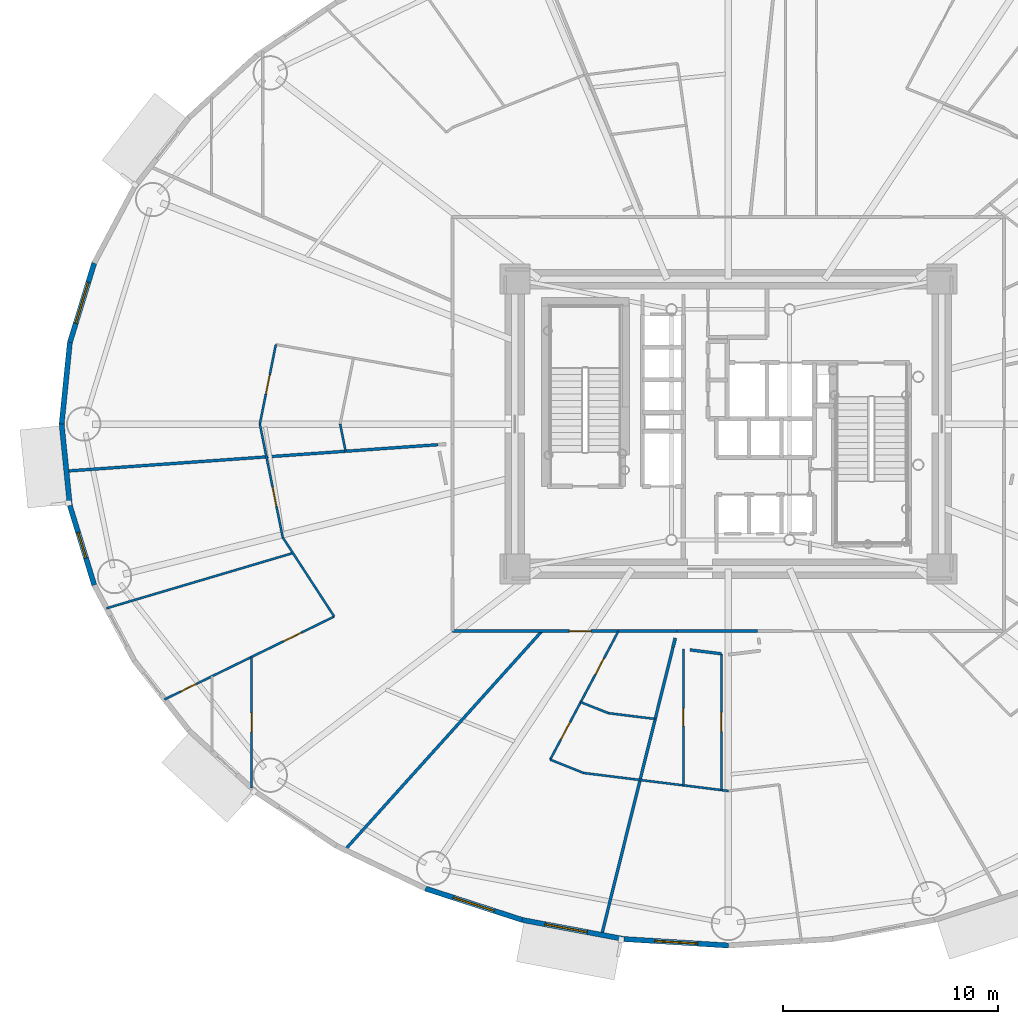
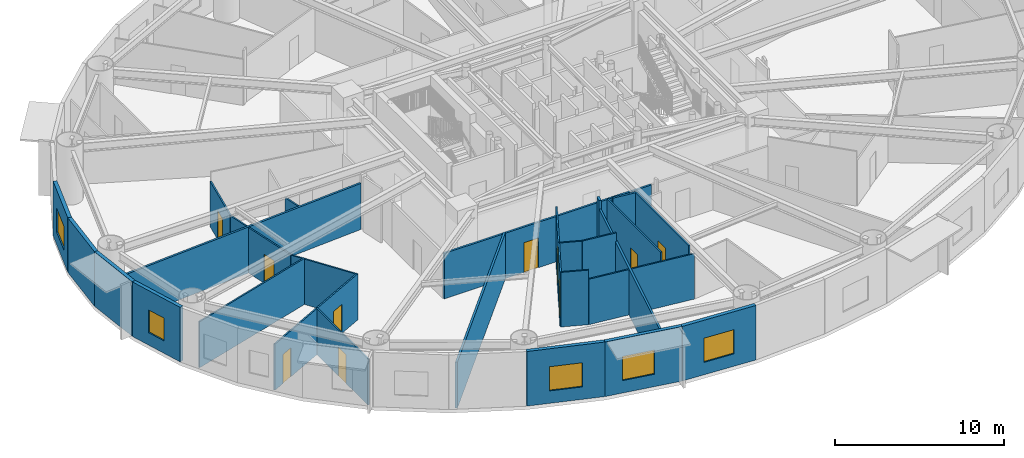
# One storey, part 7 of 20: 29 walls, 10 doors, 5 windows, 15 openings.
"""IFC4 building model written with IfcOpenShell, lengths in metres."""

import ifcopenshell
import ifcopenshell.guid

model = None  # the IFC model being written
_history = None  # IfcOwnerHistory: only IFC2X3 demands one
_inside = {}  # id of a spatial element -> (the spatial element, [elements in it])
_under = {}  # id of a project, library or spatial element -> (it, [spatial elements below it])
_declared = {}  # id of a project -> (the project, [libraries it declares])
_typed = {}  # id of a type object -> (the type object, [elements of that type])
_made_of = {}  # id of a material, layer set ... -> (it, [elements and type objects made of it])


def new_model(schema):
    """Start an empty IFC model of exactly this schema.

    Asked for "IFC4X3", IfcOpenShell would pick the latest addendum, in which some entities
    have other attributes; the version numbers below select the first issue.
    IFC2X3 requires an IfcOwnerHistory on every rooted entity: one is made here for all.
    """
    global model, _history
    if schema == "IFC4X3":
        model = ifcopenshell.file(schema_version=(4, 3, 0, 0))
    else:
        model = ifcopenshell.file(schema=schema)
    _inside.clear()
    _under.clear()
    _declared.clear()
    _typed.clear()
    _made_of.clear()
    _history = None
    if model.schema == "IFC2X3":
        org = make("IfcOrganization", Name="unknown")
        user = make(
            "IfcPersonAndOrganization",
            ThePerson=make("IfcPerson", FamilyName="unknown"),
            TheOrganization=org,
        )
        app = make(
            "IfcApplication",
            ApplicationDeveloper=org,
            Version="unknown",
            ApplicationFullName="unknown",
            ApplicationIdentifier="unknown",
        )
        _history = make(
            "IfcOwnerHistory",
            OwningUser=user,
            OwningApplication=app,
            ChangeAction="ADDED",
            CreationDate=0,
        )
    return model


def make(cls, **values):
    """One entity of the class cls with the attributes given. An attribute that is None is left unset."""
    return model.create_entity(
        cls, **{name: value for name, value in values.items() if value is not None}
    )


def rooted(cls, **values):
    """An entity with a GlobalId (a new one), such as an element, a storey or a relation."""
    return make(cls, GlobalId=ifcopenshell.guid.new(), OwnerHistory=_history, **values)


def si_unit(unit_type, name, prefix=None):
    """IfcSIUnit, for example si_unit("LENGTHUNIT", "METRE", prefix="MILLI")."""
    return make("IfcSIUnit", UnitType=unit_type, Prefix=prefix, Name=name)


def assignment(units):
    """IfcUnitAssignment: the units of a project."""
    return None if units is None else make("IfcUnitAssignment", Units=units)


def point(xyz):
    """IfcCartesianPoint."""
    return None if xyz is None else make("IfcCartesianPoint", Coordinates=xyz)


def direction(xyz):
    """IfcDirection."""
    return None if xyz is None else make("IfcDirection", DirectionRatios=xyz)


def frame(location, z_axis=None, x_axis=None):
    """IfcAxis2Placement3D, a coordinate frame: its origin and axes. An axis left out is left unset."""
    return make(
        "IfcAxis2Placement3D",
        Location=point(location),
        Axis=direction(z_axis),
        RefDirection=direction(x_axis),
    )


def frame_2d(location, x_axis=None):
    """IfcAxis2Placement2D, a coordinate frame in the plane: its origin and x axis."""
    return make(
        "IfcAxis2Placement2D", Location=point(location), RefDirection=direction(x_axis)
    )


def origin():
    """The frame at (0, 0, 0) with its axes left unset."""
    return frame((0.0, 0.0, 0.0))


def origin_2d():
    """The frame at (0, 0) in the plane with its x axis left unset."""
    return frame_2d((0.0, 0.0))


def place(relative_to, where):
    """IfcLocalPlacement: puts the frame where relative to a parent placement (None: the world)."""
    return make(
        "IfcLocalPlacement", PlacementRelTo=relative_to, RelativePlacement=where
    )


def context(
    kind, dimensions, precision=None, world=None, true_north=None, identifier=None
):
    """IfcGeometricRepresentationContext, for example the 3D "Model" context."""
    return make(
        "IfcGeometricRepresentationContext",
        ContextIdentifier=identifier,
        ContextType=kind,
        CoordinateSpaceDimension=dimensions,
        Precision=precision,
        WorldCoordinateSystem=world,
        TrueNorth=true_north,
    )


def subcontext(parent, identifier, kind, view, scale=None):
    """IfcGeometricRepresentationSubContext, for example "Body" below "Model"."""
    return make(
        "IfcGeometricRepresentationSubContext",
        ContextIdentifier=identifier,
        ContextType=kind,
        ParentContext=parent,
        TargetScale=scale,
        TargetView=view,
    )


def project(units=None, contexts=None):
    """IfcProject with its units and contexts."""
    return rooted(
        "IfcProject",
        Name="project",
        RepresentationContexts=contexts,
        UnitsInContext=assignment(units),
    )


def spatial(cls, under=None, at=None, **own):
    """A site, building, storey or space (cls), placed at a placement, below another one or the project."""
    s = rooted(cls, ObjectPlacement=at, **own)
    if under is not None:
        _under.setdefault(under.id(), (under, []))[1].append(s)
    return s


def profile(cls, at=None, kind="AREA", **sizes):
    """A parametric profile (cls). Its sizes go by their IFC names, for example OverallWidth=200.0."""
    return make(cls, ProfileType=kind, Position=at, **sizes)


def rectangle(**sizes):
    """IfcRectangleProfileDef."""
    return profile("IfcRectangleProfileDef", **sizes)


def extrude(swept, where, along, depth):
    """IfcExtrudedAreaSolid: the profile swept, set in the frame where, extruded along a direction by depth."""
    return make(
        "IfcExtrudedAreaSolid",
        SweptArea=swept,
        Position=where,
        ExtrudedDirection=direction(along),
        Depth=depth,
    )


def shape(context_of_items, identifier, shape_type, items):
    """IfcShapeRepresentation: the items that make up one representation, for example the "Body"."""
    return make(
        "IfcShapeRepresentation",
        ContextOfItems=context_of_items,
        RepresentationIdentifier=identifier,
        RepresentationType=shape_type,
        Items=items,
    )


def source(mapping_origin, context_of_items, identifier, shape_type, items):
    """IfcRepresentationMap: a shape defined once, which mapped items show again and again."""
    return make(
        "IfcRepresentationMap",
        MappingOrigin=mapping_origin,
        MappedRepresentation=shape(context_of_items, identifier, shape_type, items),
    )


def transform(
    local_origin,
    x_axis=None,
    y_axis=None,
    z_axis=None,
    scale=None,
    scale2=None,
    scale3=None,
    uniform=True,
):
    """IfcCartesianTransformationOperator3D, or its non-uniform kind. x_axis, y_axis, z_axis: its Axis1, 2, 3."""
    if uniform:
        return make(
            "IfcCartesianTransformationOperator3D",
            Axis1=direction(x_axis),
            Axis2=direction(y_axis),
            LocalOrigin=point(local_origin),
            Scale=scale,
            Axis3=direction(z_axis),
        )
    return make(
        "IfcCartesianTransformationOperator3DnonUniform",
        Axis1=direction(x_axis),
        Axis2=direction(y_axis),
        LocalOrigin=point(local_origin),
        Scale=scale,
        Axis3=direction(z_axis),
        Scale2=scale2,
        Scale3=scale3,
    )


def mapped(mapping_source, mapping_target):
    """IfcMappedItem: shows the shape of a source again, moved by a transform."""
    return make(
        "IfcMappedItem", MappingSource=mapping_source, MappingTarget=mapping_target
    )


def material(Name=None, Category=None):
    """IfcMaterial."""
    return make("IfcMaterial", Name=Name, Category=Category)


def layer(
    of_material, thickness, ventilated=None, Name=None, Category=None, Priority=None
):
    """IfcMaterialLayer: one layer of a wall or slab, of a material (None: an air gap)."""
    return make(
        "IfcMaterialLayer",
        Material=of_material,
        LayerThickness=thickness,
        IsVentilated=ventilated,
        Name=Name,
        Category=Category,
        Priority=Priority,
    )


def layer_set(layers, Name=None):
    """IfcMaterialLayerSet."""
    return make("IfcMaterialLayerSet", MaterialLayers=layers, LayerSetName=Name)


def made_of(thing, what):
    """Note that an element or type object is made of a material, layer set ...; save() writes the relation."""
    if what is not None:
        _made_of.setdefault(what.id(), (what, []))[1].append(thing)
    return thing


def type_object(cls, material=None, **own):
    """A type object (cls), such as IfcWallType, which elements share."""
    return made_of(rooted(cls, **own), material)


def element(
    cls,
    number,
    at=None,
    inside=None,
    cuts=None,
    type_object=None,
    material=None,
    context=None,
    identifier="Body",
    shape_type=None,
    held_by="IfcProductDefinitionShape",
    body=None,
    shapes=None,
    **own,
):
    """One element of the class cls, such as IfcWall. Its Tag is "e" and its number.

    at: its placement. inside: the storey or other place that contains it. cuts: it is an
    opening in that element (IfcRelVoidsElement). A single representation is given by context,
    identifier, shape_type and body (its items); several are given by shapes. held_by: the class
    of the entity that holds the representations. save() writes the other relations.
    """
    e = rooted(cls, Tag="e%d" % number, ObjectPlacement=at, **own)
    if body is not None:
        shapes = [shape(context, identifier, shape_type, body)]
    if shapes is not None:
        e.Representation = make(held_by, Representations=shapes)
    if inside is not None:
        _inside.setdefault(inside.id(), (inside, []))[1].append(e)
    if cuts is not None:
        rooted(
            "IfcRelVoidsElement", RelatingBuildingElement=cuts, RelatedOpeningElement=e
        )
    if type_object is not None:
        _typed.setdefault(type_object.id(), (type_object, []))[1].append(e)
    return made_of(e, material)


def fill(opening, filler):
    """IfcRelFillsElement: the door or window that sits in an opening."""
    return rooted(
        "IfcRelFillsElement",
        RelatingOpeningElement=opening,
        RelatedBuildingElement=filler,
    )


def aggregate(whole, parts):
    """IfcRelAggregates: a whole, such as a stair, and the parts it consists of."""
    return rooted("IfcRelAggregates", RelatingObject=whole, RelatedObjects=parts)


def save(model, path):
    """Write the relations noted so far, then the file.

    IfcRelAggregates (storeys below a building ...), IfcRelContainedInSpatialStructure (elements
    in a storey), IfcRelDefinesByType, IfcRelAssociatesMaterial and IfcRelDeclares: one each for
    every whole, place, type object, material and project.
    """
    for whole, parts in _under.values():
        aggregate(whole, parts)
    for where, things in _inside.values():
        rooted(
            "IfcRelContainedInSpatialStructure",
            RelatedElements=things,
            RelatingStructure=where,
        )
    for kind, things in _typed.values():
        rooted("IfcRelDefinesByType", RelatedObjects=things, RelatingType=kind)
    for what, things in _made_of.values():
        rooted("IfcRelAssociatesMaterial", RelatedObjects=things, RelatingMaterial=what)
    for by, libraries in _declared.values():
        rooted("IfcRelDeclares", RelatingContext=by, RelatedDefinitions=libraries)
    model.write(path)


model = new_model("IFC4")

# Units and contexts
model_context = context("Model", 3, precision=1e-05, world=origin(), true_north=direction((0.0, 1.0)))
body_context = subcontext(model_context, "Body", "Model", "MODEL_VIEW")
ifc_project = project(units=[si_unit("LENGTHUNIT", "METRE"), si_unit("AREAUNIT", "SQUARE_METRE"), si_unit("VOLUMEUNIT", "CUBIC_METRE"), si_unit("PLANEANGLEUNIT", "RADIAN"), si_unit("MASSUNIT", "GRAM", prefix="KILO")], contexts=[model_context])

# Site, building, storey
site_placement = place(None, origin())
site = spatial("IfcSite", under=ifc_project, at=site_placement, CompositionType="ELEMENT")
building_placement = place(site_placement, origin())
building = spatial("IfcBuilding", under=site, at=building_placement, Name="Linh Dai School and Residence Tower", CompositionType="ELEMENT")
storey_placement = place(building_placement, frame((0.0, 0.0, 66.0)))
storey = spatial("IfcBuildingStorey", under=building, at=storey_placement, Name="L15", CompositionType="ELEMENT", Elevation=66.0)

# Wall, opening, window
ifc_material_1 = material(Name="Precast Concrete B45 (C35/45)", Category="concrete")
ifc_layer_1 = layer(ifc_material_1, 0.239990234375)
ifc_layer_set_1 = layer_set([ifc_layer_1], Name="Precast Concrete B45 (C35/45)")
wall_type_1 = type_object("IfcWallType", Name="EW-TC-240", PredefinedType="SOLIDWALL", material=ifc_layer_set_1)
wall_1_placement = place(storey_placement, frame((5.306640625, 30.796875, 0.0), z_axis=(0.0, 0.0, 1.0), x_axis=(0.293111631758, 0.956078224482, 0.0)))
wall_1 = element("IfcWall", 1, at=wall_1_placement, inside=storey, type_object=wall_type_1, Name="L15 Terracotta Exterior Wall 19", PredefinedType="SOLIDWALL", context=body_context, shape_type="SweptSolid", body=[
    extrude(rectangle(XDim=3.874755859375, YDim=0.239990234375, at=frame_2d((1.9375, 0.0))), origin(), (0.0, 0.0, 1.0), 3.949951171875),
])
opening_1_placement = place(wall_1_placement, frame((0.9375, 0.0, 0.89990234375)))
opening_1 = element("IfcOpeningElement", 2, at=opening_1_placement, cuts=wall_1, Name="Opening W1", PredefinedType="OPENING", context=body_context, shape_type="SweptSolid", body=[
    extrude(rectangle(XDim=2.0, YDim=1.75, at=origin_2d()), frame((1.0, 0.1298828125, 0.875), z_axis=(0.0, -1.0, 0.0), x_axis=(1.0, 0.0, 0.0)), (0.0, 0.0, 1.0), 0.260009765625),
])
ifc_material_2 = material(Name="Double Low-E Insulated Glazing", Category="glass")
window_type_1 = type_object("IfcWindowType", Name="WN-RES-2000x1750", PartitioningType="DOUBLE_PANEL_VERTICAL", PredefinedType="WINDOW", material=ifc_material_2)
shared_shape_1 = source(origin(), body_context, "Body", "SweptSolid", [
    extrude(rectangle(XDim=2.0, YDim=1.75, at=origin_2d()), frame((1.0, 0.030029296875, 0.875), z_axis=(0.0, -1.0, 0.0), x_axis=(1.0, 0.0, 0.0)), (0.0, 0.0, 1.0), 0.06005859375),
])
window_1_placement = place(opening_1_placement, origin())
window_1 = element("IfcWindow", 3, at=window_1_placement, inside=storey, type_object=window_type_1, Name="L15 Exterior Window 19.1", OverallHeight=1.75, OverallWidth=2.0, PartitioningType="DOUBLE_PANEL_VERTICAL", PredefinedType="WINDOW", context=body_context, shape_type="MappedRepresentation", body=[
    mapped(shared_shape_1, transform((0.0, 0.0, 0.0), x_axis=(1.0, 0.0, 0.0), y_axis=(0.0, 1.0, 0.0), z_axis=(0.0, 0.0, 1.0), scale=1.0)),
])
fill(opening_1, window_1)

# Walls
for number, where, z_axis, x_axis, name in (
    (4, (4.925048828125, 27.0, 0.0), (0.0, 0.0, 1.0), (0.099997795174, 0.994987658698, 0.0), "L15 Terracotta Exterior Wall 20"),
    (5, (5.306640625, 23.203125, 0.0), (0.0, 0.0, 1.0), (-0.099997795174, 0.994987658698, 0.0), "L15 Terracotta Exterior Wall 21"),
):
    element("IfcWall", number, at=place(storey_placement, frame(where, z_axis=z_axis, x_axis=x_axis)), inside=storey, type_object=wall_type_1, Name=name, PredefinedType="SOLIDWALL", context=body_context, shape_type="SweptSolid", body=[
        extrude(rectangle(XDim=3.81591796875, YDim=0.239990234375, at=frame_2d((1.907958984375, 0.0))), origin(), (0.0, 0.0, 1.0), 3.949951171875),
    ])

# Wall, opening, window
wall_2_placement = place(storey_placement, frame((6.4423828125, 19.49853515625, 0.0), z_axis=(0.0, 0.0, 1.0), x_axis=(-0.293111631758, 0.956078224482, 0.0)))
wall_2 = element("IfcWall", 6, at=wall_2_placement, inside=storey, type_object=wall_type_1, Name="L15 Terracotta Exterior Wall 22", PredefinedType="SOLIDWALL", context=body_context, shape_type="SweptSolid", body=[
    extrude(rectangle(XDim=3.874755859375, YDim=0.239990234375, at=frame_2d((1.9375, 0.0))), origin(), (0.0, 0.0, 1.0), 3.949951171875),
])
opening_2_placement = place(wall_2_placement, frame((1.312255859375, 0.0, 0.89990234375)))
opening_2 = element("IfcOpeningElement", 7, at=opening_2_placement, cuts=wall_2, Name="Opening W3", PredefinedType="OPENING", context=body_context, shape_type="SweptSolid", body=[
    extrude(rectangle(XDim=1.25, YDim=1.64990234375, at=origin_2d()), frame((0.625, 0.1298828125, 0.824951171875), z_axis=(0.0, -1.0, 0.0), x_axis=(1.0, 0.0, 0.0)), (0.0, 0.0, 1.0), 0.260009765625),
])
window_type_2 = type_object("IfcWindowType", Name="WN-RES-1250x1650", PartitioningType="SINGLE_PANEL", PredefinedType="WINDOW", material=ifc_material_2)
shared_shape_2 = source(origin(), body_context, "Body", "SweptSolid", [
    extrude(rectangle(XDim=1.25, YDim=1.64990234375, at=origin_2d()), frame((0.625, 0.030029296875, 0.824951171875), z_axis=(0.0, -1.0, 0.0), x_axis=(1.0, 0.0, 0.0)), (0.0, 0.0, 1.0), 0.06005859375),
])
window_2_placement = place(opening_2_placement, origin())
window_2 = element("IfcWindow", 8, at=window_2_placement, inside=storey, type_object=window_type_2, Name="L15 Dwelling Window U1506-BD1", OverallHeight=1.64990234375, OverallWidth=1.25, PartitioningType="SINGLE_PANEL", PredefinedType="WINDOW", context=body_context, shape_type="MappedRepresentation", body=[
    mapped(shared_shape_2, transform((0.0, 0.0, 0.0), x_axis=(1.0, 0.0, 0.0), y_axis=(0.0, 1.0, 0.0), z_axis=(0.0, 0.0, 1.0), scale=1.0)),
])
fill(opening_2, window_2)

wall_3_placement = place(storey_placement, frame((26.389404296875, 3.88671875, 0.0), z_axis=(0.0, 0.0, 1.0), x_axis=(-0.951207699013, 0.308551313946, 0.0)))
wall_3 = element("IfcWall", 9, at=wall_3_placement, inside=storey, type_object=wall_type_1, Name="L15 Terracotta Exterior Wall 28", PredefinedType="SOLIDWALL", context=body_context, shape_type="SweptSolid", body=[
    extrude(rectangle(XDim=4.73876953125, YDim=0.239990234375, at=frame_2d((2.369384765625, 0.0))), origin(), (0.0, 0.0, 1.0), 3.949951171875),
])
opening_3_placement = place(wall_3_placement, frame((1.369384765625, 0.0, 0.89990234375)))
opening_3 = element("IfcOpeningElement", 10, at=opening_3_placement, cuts=wall_3, Name="Opening W1", PredefinedType="OPENING", context=body_context, shape_type="SweptSolid", body=[
    extrude(rectangle(XDim=2.0, YDim=1.75, at=origin_2d()), frame((1.0, 0.1298828125, 0.875), z_axis=(0.0, -1.0, 0.0), x_axis=(1.0, 0.0, 0.0)), (0.0, 0.0, 1.0), 0.260009765625),
])
window_3_placement = place(opening_3_placement, origin())
window_3 = element("IfcWindow", 11, at=window_3_placement, inside=storey, type_object=window_type_1, Name="L15 Exterior Window 28.1", OverallHeight=1.75, OverallWidth=2.0, PartitioningType="DOUBLE_PANEL_VERTICAL", PredefinedType="WINDOW", context=body_context, shape_type="MappedRepresentation", body=[
    mapped(shared_shape_1, transform((0.0, 0.0, 0.0), x_axis=(1.0, 0.0, 0.0), y_axis=(0.0, 1.0, 0.0), z_axis=(0.0, 0.0, 1.0), scale=1.0)),
])
fill(opening_3, window_3)

wall_4_placement = place(storey_placement, frame((31.134521484375, 2.994873046875, 0.0), z_axis=(0.0, 0.0, 1.0), x_axis=(-0.982791952378, 0.184715939598, 0.0)))
wall_4 = element("IfcWall", 12, at=wall_4_placement, inside=storey, type_object=wall_type_1, Name="L15 Terracotta Exterior Wall 29", PredefinedType="SOLIDWALL", context=body_context, shape_type="SweptSolid", body=[
    extrude(rectangle(XDim=4.828125, YDim=0.239990234375, at=frame_2d((2.4140625, 0.0))), origin(), (0.0, 0.0, 1.0), 3.949951171875),
])
opening_4_placement = place(wall_4_placement, frame((1.746337890625, 0.0, 0.89990234375)))
opening_4 = element("IfcOpeningElement", 13, at=opening_4_placement, cuts=wall_4, Name="Opening W1", PredefinedType="OPENING", context=body_context, shape_type="SweptSolid", body=[
    extrude(rectangle(XDim=2.0, YDim=1.75, at=origin_2d()), frame((1.0, 0.1298828125, 0.875), z_axis=(0.0, -1.0, 0.0), x_axis=(1.0, 0.0, 0.0)), (0.0, 0.0, 1.0), 0.260009765625),
])
window_4_placement = place(opening_4_placement, origin())
window_4 = element("IfcWindow", 14, at=window_4_placement, inside=storey, type_object=window_type_1, Name="L15 Exterior Window 29.1", OverallHeight=1.75, OverallWidth=2.0, PartitioningType="DOUBLE_PANEL_VERTICAL", PredefinedType="WINDOW", context=body_context, shape_type="MappedRepresentation", body=[
    mapped(shared_shape_1, transform((0.0, 0.0, 0.0), x_axis=(1.0, 0.0, 0.0), y_axis=(0.0, 1.0, 0.0), z_axis=(0.0, 0.0, 1.0), scale=1.0)),
])
fill(opening_4, window_4)

wall_5_placement = place(storey_placement, frame((36.0, 2.695068359375, 0.0), z_axis=(0.0, 0.0, 1.0), x_axis=(-0.998106954071, 0.061502099433, 0.0)))
wall_5 = element("IfcWall", 15, at=wall_5_placement, inside=storey, type_object=wall_type_1, Name="L15 Terracotta Exterior Wall 30", PredefinedType="SOLIDWALL", context=body_context, shape_type="SweptSolid", body=[
    extrude(rectangle(XDim=4.874755859375, YDim=0.239990234375, at=frame_2d((2.4375, 0.0))), origin(), (0.0, 0.0, 1.0), 3.949951171875),
])
opening_5_placement = place(wall_5_placement, frame((1.437255859375, 0.0, 0.89990234375)))
opening_5 = element("IfcOpeningElement", 16, at=opening_5_placement, cuts=wall_5, Name="Opening W1", PredefinedType="OPENING", context=body_context, shape_type="SweptSolid", body=[
    extrude(rectangle(XDim=2.0, YDim=1.75, at=origin_2d()), frame((1.0, 0.1298828125, 0.875), z_axis=(0.0, -1.0, 0.0), x_axis=(1.0, 0.0, 0.0)), (0.0, 0.0, 1.0), 0.260009765625),
])
window_5_placement = place(opening_5_placement, origin())
window_5 = element("IfcWindow", 17, at=window_5_placement, inside=storey, type_object=window_type_1, Name="L15 Exterior Window 30.1", OverallHeight=1.75, OverallWidth=2.0, PartitioningType="DOUBLE_PANEL_VERTICAL", PredefinedType="WINDOW", context=body_context, shape_type="MappedRepresentation", body=[
    mapped(shared_shape_1, transform((0.0, 0.0, 0.0), x_axis=(1.0, 0.0, 0.0), y_axis=(0.0, 1.0, 0.0), z_axis=(0.0, 0.0, 1.0), scale=1.0)),
])
fill(opening_5, window_5)

# Walls
ifc_material_3 = material(Name="Autoclaved Aerated Concrete Blockwork", Category="masonry")
ifc_layer_2 = layer(ifc_material_3, 0.135009765625)
ifc_layer_set_2 = layer_set([ifc_layer_2], Name="Autoclaved Aerated Concrete Blockwork")
wall_type_2 = type_object("IfcWallType", Name="IW-CORR-135-EI90", PredefinedType="PARTITIONING", material=ifc_layer_set_2)
wall_6_placement = place(storey_placement, frame((5.140625, 24.805419921875, 0.0), z_axis=(0.0, 0.0, 1.0), x_axis=(0.99748069861, 0.070938395112, 0.0)))
element("IfcWall", 18, at=wall_6_placement, inside=storey, type_object=wall_type_2, Name="L15 Interior Partition Wall 001", PredefinedType="PARTITIONING", context=body_context, shape_type="SweptSolid", body=[
    extrude(rectangle(XDim=17.36962890625, YDim=0.135009765625, at=frame_2d((8.684814453125, 0.0))), origin(), (0.0, 0.0, 1.0), 3.3349609375),
])
wall_7_placement = place(storey_placement, frame((18.123779296875, 7.146484375, 0.0), z_axis=(0.0, 0.0, 1.0), x_axis=(0.669125827692, 0.743149128181, 0.0)))
element("IfcWall", 19, at=wall_7_placement, inside=storey, type_object=wall_type_2, Name="L15 Interior Partition Wall 016", PredefinedType="PARTITIONING", context=body_context, shape_type="SweptSolid", body=[
    extrude(rectangle(XDim=13.730224609375, YDim=0.135009765625, at=frame_2d((6.865234375, 0.0))), origin(), (0.0, 0.0, 1.0), 3.3349609375),
])

# Wall, opening, door
wall_8_placement = place(storey_placement, frame((23.14990234375, 17.35009765625, 0.0), z_axis=(0.0, 0.0, 1.0), x_axis=(1.0, 0.0, 0.0)))
wall_8 = element("IfcWall", 20, at=wall_8_placement, inside=storey, type_object=wall_type_2, Name="L15 Interior Partition Wall 020", PredefinedType="PARTITIONING", context=body_context, shape_type="SweptSolid", body=[
    extrude(rectangle(XDim=10.456298828125, YDim=0.135009765625, at=frame_2d((5.22802734375, 0.0))), origin(), (0.0, 0.0, 1.0), 3.284912109375),
])
opening_6_placement = place(wall_8_placement, frame((5.443603515625, 0.0, 0.0)))
opening_6 = element("IfcOpeningElement", 21, at=opening_6_placement, cuts=wall_8, Name="Opening D03", PredefinedType="OPENING", context=body_context, shape_type="SweptSolid", body=[
    extrude(rectangle(XDim=1.0, YDim=2.14990234375, at=origin_2d()), frame((0.5, 0.07763671875, 1.074951171875), z_axis=(0.0, -1.0, 0.0), x_axis=(1.0, 0.0, 0.0)), (0.0, 0.0, 1.0), 0.155029296875),
])
ifc_material_4 = material(Name="Fire-Rated Solid Timber Entrance Door", Category="wood")
door_type_1 = type_object("IfcDoorType", Name="DR-FLAT-1000x2150-FD60S", OperationType="NOTDEFINED", PredefinedType="DOOR", material=ifc_material_4)
shared_shape_3 = source(origin(), body_context, "Body", "SweptSolid", [
    extrude(rectangle(XDim=1.0, YDim=2.14990234375, at=origin_2d()), frame((0.5, 0.02490234375, 1.074951171875), z_axis=(0.0, -1.0, 0.0), x_axis=(1.0, 0.0, 0.0)), (0.0, 0.0, 1.0), 0.050048828125),
])
door_1_placement = place(opening_6_placement, origin())
door_1 = element("IfcDoor", 22, at=door_1_placement, inside=storey, type_object=door_type_1, Name="L15 U1507 Apartment Entrance Door", OperationType="SINGLE_SWING_LEFT", OverallHeight=2.14990234375, OverallWidth=1.0, PredefinedType="DOOR", context=body_context, shape_type="MappedRepresentation", body=[
    mapped(shared_shape_3, transform((0.0, 0.0, 0.0), x_axis=(1.0, 0.0, 0.0), y_axis=(0.0, 1.0, 0.0), z_axis=(0.0, 0.0, 1.0), scale=1.0)),
])
fill(opening_6, door_1)

# Walls
wall_9_placement = place(storey_placement, frame((30.09228515625, 3.185791015625, 0.0), z_axis=(0.0, 0.0, 1.0), x_axis=(0.240785833135, 0.970578272249, 0.0)))
element("IfcWall", 23, at=wall_9_placement, inside=storey, type_object=wall_type_2, Name="L15 Interior Partition Wall 032", PredefinedType="PARTITIONING", context=body_context, shape_type="SweptSolid", body=[
    extrude(rectangle(XDim=13.79150390625, YDim=0.135009765625, at=frame_2d((6.895751953125, 0.0))), origin(), (0.0, 0.0, 1.0), 3.3349609375),
])
wall_10_placement = place(storey_placement, frame((37.35205078125, 17.35009765625, 0.0), z_axis=(0.0, 0.0, 1.0), x_axis=(-1.0, 0.0, 0.0)))
element("IfcWall", 24, at=wall_10_placement, inside=storey, type_object=wall_type_2, Name="L15 Interior Partition Wall 119", PredefinedType="PARTITIONING", context=body_context, shape_type="SweptSolid", body=[
    extrude(rectangle(XDim=3.73583984375, YDim=0.135009765625, at=frame_2d((1.867919921875, 0.0))), origin(), (0.0, 0.0, 1.0), 3.284912109375),
])
wall_11_placement = place(storey_placement, frame((34.211181640625, 16.47265625, 0.0), z_axis=(0.0, 0.0, 1.0), x_axis=(0.992399537087, -0.123057542599, 0.0)))
element("IfcWall", 25, at=wall_11_placement, inside=storey, type_object=wall_type_2, Name="L15 Interior Partition Wall 136", PredefinedType="PARTITIONING", context=body_context, shape_type="SweptSolid", body=[
    extrude(rectangle(XDim=1.47607421875, YDim=0.135009765625, at=frame_2d((0.738037109375, 0.0))), origin(), (0.0, 0.0, 1.0), 3.949951171875),
])
ifc_layer_3 = layer(ifc_material_3, 0.14990234375)
ifc_layer_set_3 = layer_set([ifc_layer_3], Name="Autoclaved Aerated Concrete Blockwork")
wall_type_3 = type_object("IfcWallType", Name="IW-SCH-150-EI60", PredefinedType="PARTITIONING", material=ifc_layer_set_3)
wall_12_placement = place(storey_placement, frame((33.52490234375, 17.0224609375, 0.0), z_axis=(0.0, 0.0, 1.0), x_axis=(-0.24063936861, -0.970614596158, 0.0)))
element("IfcWall", 26, at=wall_12_placement, inside=storey, type_object=wall_type_3, Name="L15 Interior Partition Wall 133", PredefinedType="PARTITIONING", context=body_context, shape_type="SweptSolid", body=[
    extrude(rectangle(XDim=0.45458984375, YDim=0.14990234375, at=frame_2d((0.227294921875, 0.0))), origin(), (0.0, 0.0, 1.0), 3.949951171875),
])
ifc_material_5 = material(Name="Gypsum Plasterboard Acoustic Stud Partition", Category="masonry")
ifc_layer_4 = layer(ifc_material_5, 0.10009765625)
ifc_layer_set_4 = layer_set([ifc_layer_4], Name="Gypsum Plasterboard Acoustic Stud Partition")
wall_type_4 = type_object("IfcWallType", Name="IW-UNIT-100", PredefinedType="PARTITIONING", material=ifc_layer_set_4)
wall_13_placement = place(storey_placement, frame((7.012451171875, 18.410888671875, 0.0), z_axis=(0.0, 0.0, 1.0), x_axis=(0.958797025861, 0.284091997775, 0.0)))
element("IfcWall", 27, at=wall_13_placement, inside=storey, type_object=wall_type_4, Name="L15 Interior Partition Wall 002", PredefinedType="PARTITIONING", context=body_context, shape_type="SweptSolid", body=[
    extrude(rectangle(XDim=9.064697265625, YDim=0.10009765625, at=frame_2d((4.5322265625, 0.0))), origin(), (0.0, 0.0, 1.0), 3.3349609375),
])

# Wall, openings, doors
wall_14_placement = place(storey_placement, frame((9.71923828125, 14.16259765625, 0.0), z_axis=(0.0, 0.0, 1.0), x_axis=(0.898526567573, 0.438919135339, 0.0)))
wall_14 = element("IfcWall", 28, at=wall_14_placement, inside=storey, type_object=wall_type_4, Name="L15 Interior Partition Wall 004", PredefinedType="PARTITIONING", context=body_context, shape_type="SweptSolid", body=[
    extrude(rectangle(XDim=8.803466796875, YDim=0.10009765625, at=frame_2d((4.40185546875, 0.0))), origin(), (0.0, 0.0, 1.0), 3.3349609375),
])
opening_7_placement = place(wall_14_placement, frame((6.19140625, 0.0, 0.0)))
opening_7 = element("IfcOpeningElement", 29, at=opening_7_placement, cuts=wall_14, Name="Opening D05", PredefinedType="OPENING", context=body_context, shape_type="SweptSolid", body=[
    extrude(rectangle(XDim=0.89990234375, YDim=2.10009765625, at=origin_2d()), frame((0.449951171875, 0.06005859375, 1.050048828125), z_axis=(0.0, -1.0, 0.0), x_axis=(1.0, 0.0, 0.0)), (0.0, 0.0, 1.0), 0.1201171875),
])
opening_8_placement = place(wall_14_placement, frame((0.843017578125, 0.0, 0.0)))
opening_8 = element("IfcOpeningElement", 30, at=opening_8_placement, cuts=wall_14, Name="Opening D06", PredefinedType="OPENING", context=body_context, shape_type="SweptSolid", body=[
    extrude(rectangle(XDim=0.820068359375, YDim=2.10009765625, at=origin_2d()), frame((0.41015625, 0.06005859375, 1.050048828125), z_axis=(0.0, -1.0, 0.0), x_axis=(1.0, 0.0, 0.0)), (0.0, 0.0, 1.0), 0.1201171875),
])
ifc_material_6 = material(Name="Moisture-Resistant Timber Bathroom Door", Category="wood")
door_type_2 = type_object("IfcDoorType", Name="DR-WET-820x2100", OperationType="NOTDEFINED", PredefinedType="DOOR", material=ifc_material_6)
shared_shape_4 = source(origin(), body_context, "Body", "SweptSolid", [
    extrude(rectangle(XDim=0.820068359375, YDim=2.10009765625, at=origin_2d()), frame((0.41015625, 0.02490234375, 1.050048828125), z_axis=(0.0, -1.0, 0.0), x_axis=(1.0, 0.0, 0.0)), (0.0, 0.0, 1.0), 0.050048828125),
])
door_2_placement = place(opening_8_placement, origin())
door_2 = element("IfcDoor", 31, at=door_2_placement, inside=storey, type_object=door_type_2, Name="L15 Apartment U1506 Bathroom 1 Door", OperationType="SINGLE_SWING_LEFT", OverallHeight=2.10009765625, OverallWidth=0.820068359375, PredefinedType="DOOR", context=body_context, shape_type="MappedRepresentation", body=[
    mapped(shared_shape_4, transform((0.0, 0.0, 0.0), x_axis=(1.0, 0.0, 0.0), y_axis=(0.0, 1.0, 0.0), z_axis=(0.0, 0.0, 1.0), scale=1.0)),
])
fill(opening_8, door_2)
ifc_material_7 = material(Name="Engineered Timber Internal Door", Category="wood")
door_type_3 = type_object("IfcDoorType", Name="DR-INT-900x2100", OperationType="NOTDEFINED", PredefinedType="DOOR", material=ifc_material_7)
shared_shape_5 = source(origin(), body_context, "Body", "SweptSolid", [
    extrude(rectangle(XDim=0.89990234375, YDim=2.10009765625, at=origin_2d()), frame((0.449951171875, 0.02490234375, 1.050048828125), z_axis=(0.0, -1.0, 0.0), x_axis=(1.0, 0.0, 0.0)), (0.0, 0.0, 1.0), 0.050048828125),
])
door_3_placement = place(opening_7_placement, origin())
door_3 = element("IfcDoor", 32, at=door_3_placement, inside=storey, type_object=door_type_3, Name="L15 Apartment U1506 Private Salon Door", OperationType="SINGLE_SWING_RIGHT", OverallHeight=2.10009765625, OverallWidth=0.89990234375, PredefinedType="DOOR", context=body_context, shape_type="MappedRepresentation", body=[
    mapped(shared_shape_5, transform((0.0, 0.0, 0.0), x_axis=(1.0, 0.0, 0.0), y_axis=(0.0, 1.0, 0.0), z_axis=(0.0, 0.0, 1.0), scale=1.0)),
])
fill(opening_7, door_3)

# Wall, opening, door
wall_15_placement = place(storey_placement, frame((13.780029296875, 10.03271484375, 0.0), z_axis=(0.0, 0.0, 1.0), x_axis=(0.0, 1.0, 0.0)))
wall_15 = element("IfcWall", 33, at=wall_15_placement, inside=storey, type_object=wall_type_4, Name="L15 Interior Partition Wall 007", PredefinedType="PARTITIONING", context=body_context, shape_type="SweptSolid", body=[
    extrude(rectangle(XDim=6.113525390625, YDim=0.10009765625, at=frame_2d((3.056640625, 0.0))), origin(), (0.0, 0.0, 1.0), 3.3349609375),
])
opening_9_placement = place(wall_15_placement, frame((2.606689453125, 0.0, 0.0)))
opening_9 = element("IfcOpeningElement", 34, at=opening_9_placement, cuts=wall_15, Name="Opening D05", PredefinedType="OPENING", context=body_context, shape_type="SweptSolid", body=[
    extrude(rectangle(XDim=0.89990234375, YDim=2.10009765625, at=origin_2d()), frame((0.449951171875, 0.06005859375, 1.050048828125), z_axis=(0.0, -1.0, 0.0), x_axis=(1.0, 0.0, 0.0)), (0.0, 0.0, 1.0), 0.1201171875),
])
door_4_placement = place(opening_9_placement, origin())
door_4 = element("IfcDoor", 35, at=door_4_placement, inside=storey, type_object=door_type_3, Name="L15 Apartment U1506 Kitchen Door", OperationType="SINGLE_SWING_RIGHT", OverallHeight=2.10009765625, OverallWidth=0.89990234375, PredefinedType="DOOR", context=body_context, shape_type="MappedRepresentation", body=[
    mapped(shared_shape_5, transform((0.0, 0.0, 0.0), x_axis=(1.0, 0.0, 0.0), y_axis=(0.0, 1.0, 0.0), z_axis=(0.0, 0.0, 1.0), scale=1.0)),
])
fill(opening_9, door_4)

wall_16_placement = place(storey_placement, frame((14.159912109375, 27.0, 0.0), z_axis=(0.0, 0.0, 1.0), x_axis=(0.198288618329, 0.980143675101, 0.0)))
wall_16 = element("IfcWall", 36, at=wall_16_placement, inside=storey, type_object=wall_type_4, Name="L15 Interior Partition Wall 008", PredefinedType="PARTITIONING", context=body_context, shape_type="SweptSolid", body=[
    extrude(rectangle(XDim=3.78125, YDim=0.10009765625, at=frame_2d((1.890625, 0.0))), origin(), (0.0, 0.0, 1.0), 3.284912109375),
])
opening_10_placement = place(wall_16_placement, frame((1.4404296875, 0.0, 0.0)))
opening_10 = element("IfcOpeningElement", 37, at=opening_10_placement, cuts=wall_16, Name="Opening D05", PredefinedType="OPENING", context=body_context, shape_type="SweptSolid", body=[
    extrude(rectangle(XDim=0.89990234375, YDim=2.10009765625, at=origin_2d()), frame((0.449951171875, 0.06005859375, 1.050048828125), z_axis=(0.0, -1.0, 0.0), x_axis=(1.0, 0.0, 0.0)), (0.0, 0.0, 1.0), 0.1201171875),
])
door_5_placement = place(opening_10_placement, origin())
door_5 = element("IfcDoor", 38, at=door_5_placement, inside=storey, type_object=door_type_3, Name="L15 Apartment U1505 Kitchen Door", OperationType="SINGLE_SWING_LEFT", OverallHeight=2.10009765625, OverallWidth=0.89990234375, PredefinedType="DOOR", context=body_context, shape_type="MappedRepresentation", body=[
    mapped(shared_shape_5, transform((0.0, 0.0, 0.0), x_axis=(1.0, 0.0, 0.0), y_axis=(0.0, 1.0, 0.0), z_axis=(0.0, 0.0, 1.0), scale=1.0)),
])
fill(opening_10, door_5)

wall_17_placement = place(storey_placement, frame((14.159912109375, 27.0, 0.0), z_axis=(0.0, 0.0, 1.0), x_axis=(0.198292702032, -0.980142848936, 0.0)))
wall_17 = element("IfcWall", 39, at=wall_17_placement, inside=storey, type_object=wall_type_4, Name="L15 Interior Partition Wall 009", PredefinedType="PARTITIONING", context=body_context, shape_type="SweptSolid", body=[
    extrude(rectangle(XDim=5.3916015625, YDim=0.10009765625, at=frame_2d((2.69580078125, 0.0))), origin(), (0.0, 0.0, 1.0), 3.284912109375),
])
opening_11_placement = place(wall_17_placement, frame((3.0068359375, 0.0, 0.0)))
opening_11 = element("IfcOpeningElement", 40, at=opening_11_placement, cuts=wall_17, Name="Opening D05", PredefinedType="OPENING", context=body_context, shape_type="SweptSolid", body=[
    extrude(rectangle(XDim=0.89990234375, YDim=2.10009765625, at=origin_2d()), frame((0.449951171875, 0.06005859375, 1.050048828125), z_axis=(0.0, -1.0, 0.0), x_axis=(1.0, 0.0, 0.0)), (0.0, 0.0, 1.0), 0.1201171875),
])
door_6_placement = place(opening_11_placement, origin())
door_6 = element("IfcDoor", 41, at=door_6_placement, inside=storey, type_object=door_type_3, Name="L15 Apartment U1506 Principal Bedroom 1 Door", OperationType="SINGLE_SWING_LEFT", OverallHeight=2.10009765625, OverallWidth=0.89990234375, PredefinedType="DOOR", context=body_context, shape_type="MappedRepresentation", body=[
    mapped(shared_shape_5, transform((0.0, 0.0, 0.0), x_axis=(1.0, 0.0, 0.0), y_axis=(0.0, 1.0, 0.0), z_axis=(0.0, 0.0, 1.0), scale=1.0)),
])
fill(opening_11, door_6)

# Walls
wall_18_placement = place(storey_placement, frame((15.22900390625, 21.715576171875, 0.0), z_axis=(0.0, 0.0, 1.0), x_axis=(0.545423102052, -0.838160867464, 0.0)))
element("IfcWall", 42, at=wall_18_placement, inside=storey, type_object=wall_type_4, Name="L15 Interior Partition Wall 012", PredefinedType="PARTITIONING", context=body_context, shape_type="SweptSolid", body=[
    extrude(rectangle(XDim=4.40087890625, YDim=0.10009765625, at=frame_2d((2.200439453125, 0.0))), origin(), (0.0, 0.0, 1.0), 3.284912109375),
])
wall_19_placement = place(storey_placement, frame((17.904052734375, 27.0, 0.0), z_axis=(0.0, 0.0, 1.0), x_axis=(0.198255955876, -0.980150282334, 0.0)))
element("IfcWall", 43, at=wall_19_placement, inside=storey, type_object=wall_type_4, Name="L15 Interior Partition Wall 014", PredefinedType="PARTITIONING", context=body_context, shape_type="SweptSolid", body=[
    extrude(rectangle(XDim=1.294189453125, YDim=0.10009765625, at=frame_2d((0.64697265625, 0.0))), origin(), (0.0, 0.0, 1.0), 3.284912109375),
])

# Wall, opening, door
wall_20_placement = place(storey_placement, frame((27.6943359375, 11.35693359375, 0.0), z_axis=(0.0, 0.0, 1.0), x_axis=(0.468918098925, 0.883241652381, 0.0)))
wall_20 = element("IfcWall", 44, at=wall_20_placement, inside=storey, type_object=wall_type_4, Name="L15 Interior Partition Wall 026", PredefinedType="PARTITIONING", context=body_context, shape_type="SweptSolid", body=[
    extrude(rectangle(XDim=3.036376953125, YDim=0.10009765625, at=frame_2d((1.51806640625, 0.0))), origin(), (0.0, 0.0, 1.0), 3.949951171875),
])
opening_12_placement = place(wall_20_placement, frame((1.068115234375, 0.0, 0.0)))
opening_12 = element("IfcOpeningElement", 45, at=opening_12_placement, cuts=wall_20, Name="Opening D05", PredefinedType="OPENING", context=body_context, shape_type="SweptSolid", body=[
    extrude(rectangle(XDim=0.89990234375, YDim=2.10009765625, at=origin_2d()), frame((0.449951171875, 0.06005859375, 1.050048828125), z_axis=(0.0, -1.0, 0.0), x_axis=(1.0, 0.0, 0.0)), (0.0, 0.0, 1.0), 0.1201171875),
])
door_7_placement = place(opening_12_placement, origin())
door_7 = element("IfcDoor", 46, at=door_7_placement, inside=storey, type_object=door_type_3, Name="L15 Apartment U1507 Kitchen Door", OperationType="SINGLE_SWING_LEFT", OverallHeight=2.10009765625, OverallWidth=0.89990234375, PredefinedType="DOOR", context=body_context, shape_type="MappedRepresentation", body=[
    mapped(shared_shape_5, transform((0.0, 0.0, 0.0), x_axis=(1.0, 0.0, 0.0), y_axis=(0.0, 1.0, 0.0), z_axis=(0.0, 0.0, 1.0), scale=1.0)),
])
fill(opening_12, door_7)

# Walls
wall_21_placement = place(storey_placement, frame((27.6943359375, 11.35693359375, 0.0), z_axis=(0.0, 0.0, 1.0), x_axis=(0.928847957875, -0.370461160112, 0.0)))
element("IfcWall", 47, at=wall_21_placement, inside=storey, type_object=wall_type_4, Name="L15 Interior Partition Wall 027", PredefinedType="PARTITIONING", context=body_context, shape_type="SweptSolid", body=[
    extrude(rectangle(XDim=1.67578125, YDim=0.10009765625, at=frame_2d((0.837890625, 0.0))), origin(), (0.0, 0.0, 1.0), 3.949951171875),
])
wall_22_placement = place(storey_placement, frame((29.1181640625, 14.038818359375, 0.0), z_axis=(0.0, 0.0, 1.0), x_axis=(0.928791597639, -0.370602439489, 0.0)))
element("IfcWall", 48, at=wall_22_placement, inside=storey, type_object=wall_type_4, Name="L15 Interior Partition Wall 028", PredefinedType="PARTITIONING", context=body_context, shape_type="SweptSolid", body=[
    extrude(rectangle(XDim=1.388671875, YDim=0.10009765625, at=frame_2d((0.6943359375, 0.0))), origin(), (0.0, 0.0, 1.0), 3.949951171875),
])

# Wall, opening, door
wall_23_placement = place(storey_placement, frame((29.122802734375, 14.047607421875, 0.0), z_axis=(0.0, 0.0, 1.0), x_axis=(0.468940383898, 0.8832298208, 0.0)))
wall_23 = element("IfcWall", 49, at=wall_23_placement, inside=storey, type_object=wall_type_4, Name="L15 Interior Partition Wall 029", PredefinedType="PARTITIONING", context=body_context, shape_type="SweptSolid", body=[
    extrude(rectangle(XDim=3.739013671875, YDim=0.10009765625, at=frame_2d((1.86962890625, 0.0))), origin(), (0.0, 0.0, 1.0), 3.949951171875),
])
opening_13_placement = place(wall_23_placement, frame((1.459716796875, 0.0, 0.0)))
opening_13 = element("IfcOpeningElement", 50, at=opening_13_placement, cuts=wall_23, Name="Opening D06", PredefinedType="OPENING", context=body_context, shape_type="SweptSolid", body=[
    extrude(rectangle(XDim=0.820068359375, YDim=2.10009765625, at=origin_2d()), frame((0.41015625, 0.06005859375, 1.050048828125), z_axis=(0.0, -1.0, 0.0), x_axis=(1.0, 0.0, 0.0)), (0.0, 0.0, 1.0), 0.1201171875),
])
door_8_placement = place(opening_13_placement, origin())
door_8 = element("IfcDoor", 51, at=door_8_placement, inside=storey, type_object=door_type_2, Name="L15 Apartment U1507 Bathroom Door", OperationType="SINGLE_SWING_RIGHT", OverallHeight=2.10009765625, OverallWidth=0.820068359375, PredefinedType="DOOR", context=body_context, shape_type="MappedRepresentation", body=[
    mapped(shared_shape_4, transform((0.0, 0.0, 0.0), x_axis=(1.0, 0.0, 0.0), y_axis=(0.0, 1.0, 0.0), z_axis=(0.0, 0.0, 1.0), scale=1.0)),
])
fill(opening_13, door_8)

# Walls
wall_24_placement = place(storey_placement, frame((29.2509765625, 10.736083984375, 0.0), z_axis=(0.0, 0.0, 1.0), x_axis=(0.992394520877, -0.123097989151, 0.0)))
element("IfcWall", 52, at=wall_24_placement, inside=storey, type_object=wall_type_4, Name="L15 Interior Partition Wall 030", PredefinedType="PARTITIONING", context=body_context, shape_type="SweptSolid", body=[
    extrude(rectangle(XDim=6.80078125, YDim=0.10009765625, at=frame_2d((3.400390625, 0.0))), origin(), (0.0, 0.0, 1.0), 3.284912109375),
])
wall_25_placement = place(storey_placement, frame((30.407958984375, 13.524169921875, 0.0), z_axis=(0.0, 0.0, 1.0), x_axis=(0.992388521758, -0.123146343362, 0.0)))
element("IfcWall", 53, at=wall_25_placement, inside=storey, type_object=wall_type_4, Name="L15 Interior Partition Wall 033", PredefinedType="PARTITIONING", context=body_context, shape_type="SweptSolid", body=[
    extrude(rectangle(XDim=2.19873046875, YDim=0.10009765625, at=frame_2d((1.099365234375, 0.0))), origin(), (0.0, 0.0, 1.0), 3.949951171875),
])

# Wall, opening, door
wall_26_placement = place(storey_placement, frame((33.901123046875, 10.1591796875, 0.0), z_axis=(0.0, 0.0, 1.0), x_axis=(0.0, 1.0, 0.0)))
wall_26 = element("IfcWall", 54, at=wall_26_placement, inside=storey, type_object=wall_type_4, Name="L15 Interior Partition Wall 045", PredefinedType="PARTITIONING", context=body_context, shape_type="SweptSolid", body=[
    extrude(rectangle(XDim=6.351806640625, YDim=0.10009765625, at=frame_2d((3.17578125, 0.0))), origin(), (0.0, 0.0, 1.0), 3.949951171875),
])
opening_14_placement = place(wall_26_placement, frame((2.765869140625, 0.0, 0.0)))
opening_14 = element("IfcOpeningElement", 55, at=opening_14_placement, cuts=wall_26, Name="Opening D06", PredefinedType="OPENING", context=body_context, shape_type="SweptSolid", body=[
    extrude(rectangle(XDim=0.820068359375, YDim=2.10009765625, at=origin_2d()), frame((0.41015625, 0.06005859375, 1.050048828125), z_axis=(0.0, -1.0, 0.0), x_axis=(1.0, 0.0, 0.0)), (0.0, 0.0, 1.0), 0.1201171875),
])
door_9_placement = place(opening_14_placement, origin())
door_9 = element("IfcDoor", 56, at=door_9_placement, inside=storey, type_object=door_type_2, Name="L15 Apartment U1508 Bathroom 1 Door", OperationType="SINGLE_SWING_LEFT", OverallHeight=2.10009765625, OverallWidth=0.820068359375, PredefinedType="DOOR", context=body_context, shape_type="MappedRepresentation", body=[
    mapped(shared_shape_4, transform((0.0, 0.0, 0.0), x_axis=(1.0, 0.0, 0.0), y_axis=(0.0, 1.0, 0.0), z_axis=(0.0, 0.0, 1.0), scale=1.0)),
])
fill(opening_14, door_9)

wall_27_placement = place(storey_placement, frame((35.676025390625, 9.939208984375, 0.0), z_axis=(0.0, 0.0, 1.0), x_axis=(0.0, 1.0, 0.0)))
wall_27 = element("IfcWall", 57, at=wall_27_placement, inside=storey, type_object=wall_type_4, Name="L15 Interior Partition Wall 056", PredefinedType="PARTITIONING", context=body_context, shape_type="SweptSolid", body=[
    extrude(rectangle(XDim=6.351806640625, YDim=0.10009765625, at=frame_2d((3.17578125, 0.0))), origin(), (0.0, 0.0, 1.0), 3.949951171875),
])
opening_15_placement = place(wall_27_placement, frame((2.725830078125, 0.0, 0.0)))
opening_15 = element("IfcOpeningElement", 58, at=opening_15_placement, cuts=wall_27, Name="Opening D05", PredefinedType="OPENING", context=body_context, shape_type="SweptSolid", body=[
    extrude(rectangle(XDim=0.89990234375, YDim=2.10009765625, at=origin_2d()), frame((0.449951171875, 0.06005859375, 1.050048828125), z_axis=(0.0, -1.0, 0.0), x_axis=(1.0, 0.0, 0.0)), (0.0, 0.0, 1.0), 0.1201171875),
])
door_10_placement = place(opening_15_placement, origin())
door_10 = element("IfcDoor", 59, at=door_10_placement, inside=storey, type_object=door_type_3, Name="L15 Apartment U1508 Kitchen Door", OperationType="SINGLE_SWING_RIGHT", OverallHeight=2.10009765625, OverallWidth=0.89990234375, PredefinedType="DOOR", context=body_context, shape_type="MappedRepresentation", body=[
    mapped(shared_shape_5, transform((0.0, 0.0, 0.0), x_axis=(1.0, 0.0, 0.0), y_axis=(0.0, 1.0, 0.0), z_axis=(0.0, 0.0, 1.0), scale=1.0)),
])
fill(opening_15, door_10)

save(model, "model.ifc")
